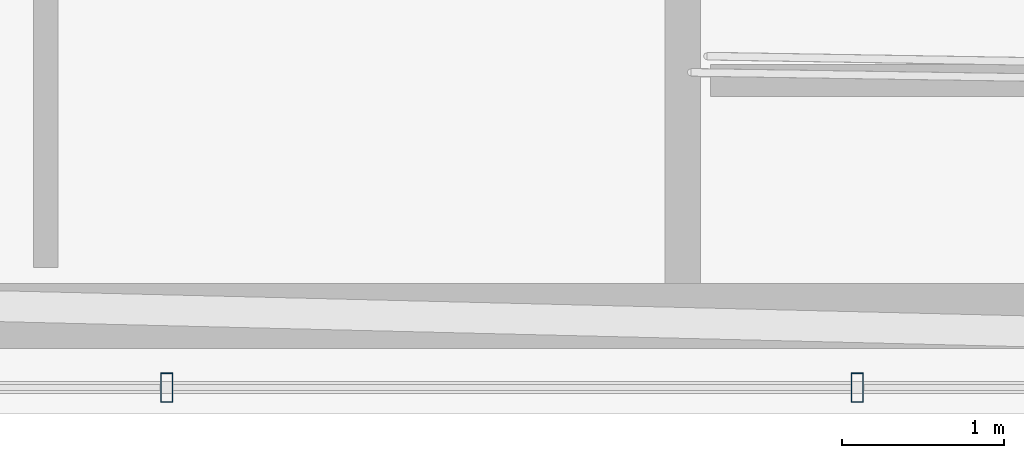
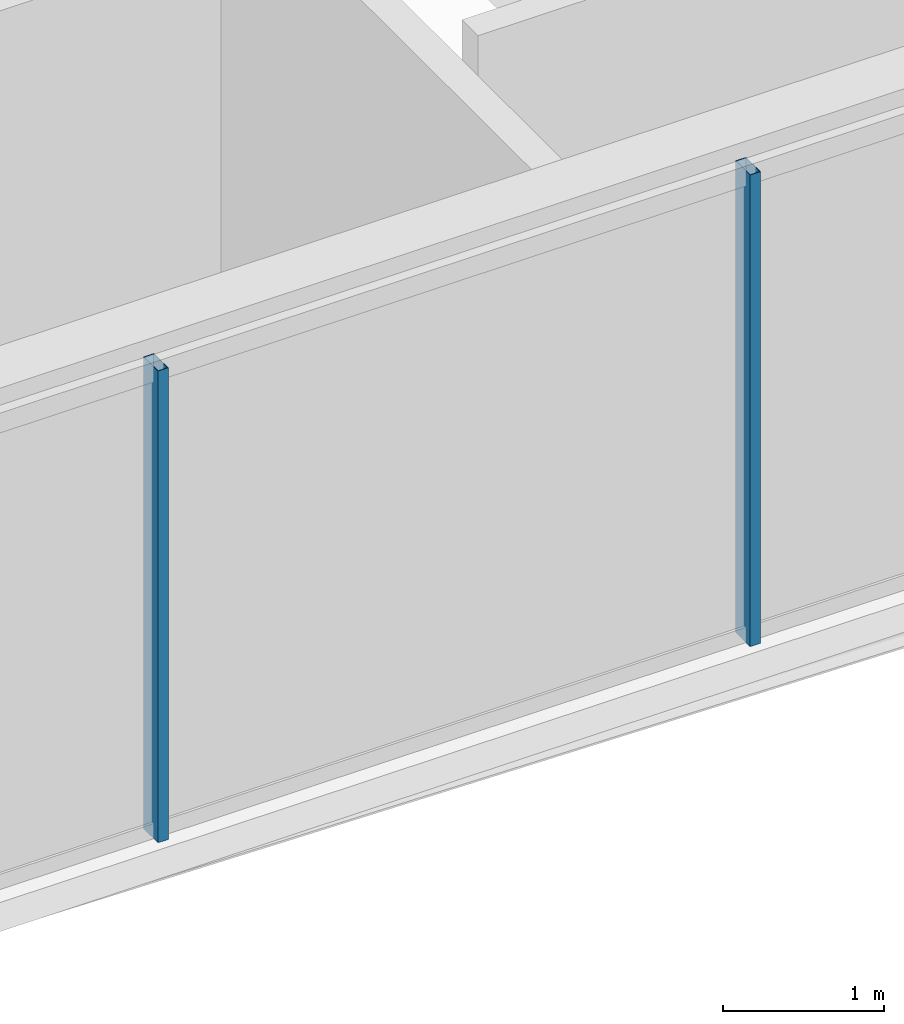
# One storey, part 6 of 34: 2 members, 1 element without a shape of its own.
"""IFC4 building model written with IfcOpenShell, lengths in metres."""

from ifc_helpers import new_model, si_unit, direction, frame, origin, origin_2d, place, context, subcontext, project, spatial, hollow_rectangle, extrude, material, layer, layer_set, material_profile, profile_set, type_object, element, aggregate, save


model = new_model("IFC4")

# Units and contexts
model_context = context("Model", 3, precision=1e-05, world=origin(), true_north=direction((0.0, 1.0)))
body_context = subcontext(model_context, "Body", "Model", "MODEL_VIEW")
ifc_project = project(units=[si_unit("LENGTHUNIT", "METRE"), si_unit("AREAUNIT", "SQUARE_METRE"), si_unit("VOLUMEUNIT", "CUBIC_METRE"), si_unit("PLANEANGLEUNIT", "RADIAN"), si_unit("MASSUNIT", "GRAM", prefix="KILO")], contexts=[model_context])

# Site, building, storey
site_placement = place(None, origin())
site = spatial("IfcSite", under=ifc_project, at=site_placement, CompositionType="ELEMENT")
building_placement = place(site_placement, origin())
building = spatial("IfcBuilding", under=site, at=building_placement, Name="Ndaravel Arena Tower", CompositionType="ELEMENT")
storey_placement = place(building_placement, frame((0.0, 0.0, 191.60009765625)))
storey = spatial("IfcBuildingStorey", under=building, at=storey_placement, Name="L46", CompositionType="ELEMENT", Elevation=191.60009765625)

# Curtain wall, members
ifc_material_1 = material(Name="Aluminium", Category="aluminium")
ifc_layer = layer(ifc_material_1, 0.179931640625)
ifc_layer_set = layer_set([ifc_layer], Name="Aluminium")
curtain_wall_type = type_object("IfcCurtainWallType", Name="CW-SYS-03", PredefinedType="NOTDEFINED", material=ifc_layer_set)
curtain_wall_placement = place(storey_placement, origin())
curtain_wall = element("IfcCurtainWall", 1, at=curtain_wall_placement, inside=storey, type_object=curtain_wall_type, Name="L46 Faceted Crystal Curtain Wall CW-L46-E01", PredefinedType="NOTDEFINED")
ifc_material_2 = material(Name="Aluminium", Category="aluminium")
ifc_material_profile = material_profile(ifc_material_2, hollow_rectangle(XDim=0.074951171875, YDim=0.179931640625, WallThickness=0.00390625, at=origin_2d()), Name="CW MULLION 75x180x4")
ifc_profile_set = profile_set([ifc_material_profile], Name="Aluminium")
member_type = type_object("IfcMemberType", Name="MEM-CW-MUL180", PredefinedType="MULLION", material=ifc_profile_set)
member_1_placement = place(storey_placement, frame((35.623779296875, 5.159912109375, 0.0), z_axis=(0.0, 0.0, 1.0), x_axis=(1.0, 0.0, 0.0)))
member_1 = element("IfcMember", 2, at=member_1_placement, type_object=member_type, Name="CW-L46-E01 Mullion 03", PredefinedType="MULLION", context=body_context, shape_type="SweptSolid", body=[
    extrude(hollow_rectangle(XDim=0.074951171875, YDim=0.179931640625, WallThickness=0.00390625, at=origin_2d()), origin(), (0.0, 0.0, 1.0), 3.579833984375),
])
member_2_placement = place(storey_placement, frame((39.87451171875, 5.159912109375, 0.0), z_axis=(0.0, 0.0, 1.0), x_axis=(1.0, 0.0, 0.0)))
member_2 = element("IfcMember", 3, at=member_2_placement, type_object=member_type, Name="CW-L46-E01 Mullion 04", PredefinedType="MULLION", context=body_context, shape_type="SweptSolid", body=[
    extrude(hollow_rectangle(XDim=0.074951171875, YDim=0.179931640625, WallThickness=0.00390625, at=origin_2d()), origin(), (0.0, 0.0, 1.0), 3.579833984375),
])
aggregate(curtain_wall, [member_1, member_2])

save(model, "model.ifc")
